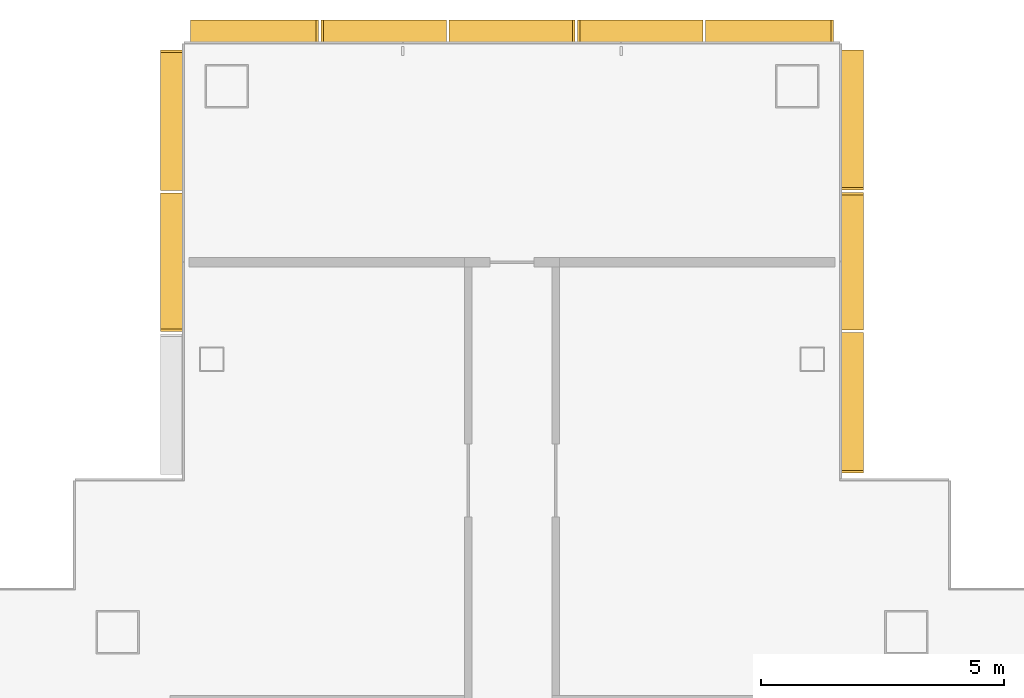
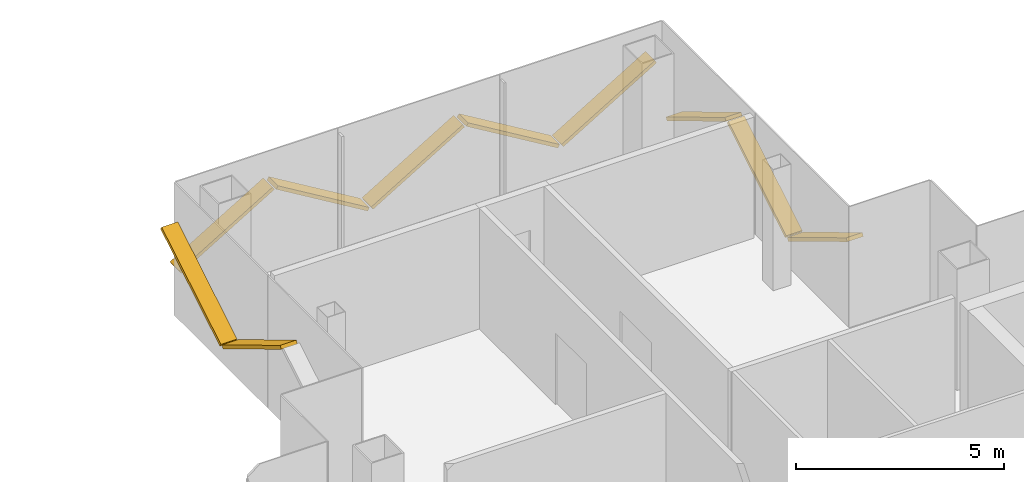
# One storey, part 16 of 17: 10 shading devices.
"""IFC4 building model written with IfcOpenShell, lengths in metres."""

import ifcopenshell
import ifcopenshell.guid

model = None  # the IFC model being written
_history = None  # IfcOwnerHistory: only IFC2X3 demands one
_inside = {}  # id of a spatial element -> (the spatial element, [elements in it])
_under = {}  # id of a project, library or spatial element -> (it, [spatial elements below it])
_declared = {}  # id of a project -> (the project, [libraries it declares])
_typed = {}  # id of a type object -> (the type object, [elements of that type])
_made_of = {}  # id of a material, layer set ... -> (it, [elements and type objects made of it])


def new_model(schema):
    """Start an empty IFC model of exactly this schema.

    Asked for "IFC4X3", IfcOpenShell would pick the latest addendum, in which some entities
    have other attributes; the version numbers below select the first issue.
    IFC2X3 requires an IfcOwnerHistory on every rooted entity: one is made here for all.
    """
    global model, _history
    if schema == "IFC4X3":
        model = ifcopenshell.file(schema_version=(4, 3, 0, 0))
    else:
        model = ifcopenshell.file(schema=schema)
    _inside.clear()
    _under.clear()
    _declared.clear()
    _typed.clear()
    _made_of.clear()
    _history = None
    if model.schema == "IFC2X3":
        org = make("IfcOrganization", Name="unknown")
        user = make(
            "IfcPersonAndOrganization",
            ThePerson=make("IfcPerson", FamilyName="unknown"),
            TheOrganization=org,
        )
        app = make(
            "IfcApplication",
            ApplicationDeveloper=org,
            Version="unknown",
            ApplicationFullName="unknown",
            ApplicationIdentifier="unknown",
        )
        _history = make(
            "IfcOwnerHistory",
            OwningUser=user,
            OwningApplication=app,
            ChangeAction="ADDED",
            CreationDate=0,
        )
    return model


def make(cls, **values):
    """One entity of the class cls with the attributes given. An attribute that is None is left unset."""
    return model.create_entity(
        cls, **{name: value for name, value in values.items() if value is not None}
    )


def rooted(cls, **values):
    """An entity with a GlobalId (a new one), such as an element, a storey or a relation."""
    return make(cls, GlobalId=ifcopenshell.guid.new(), OwnerHistory=_history, **values)


def si_unit(unit_type, name, prefix=None):
    """IfcSIUnit, for example si_unit("LENGTHUNIT", "METRE", prefix="MILLI")."""
    return make("IfcSIUnit", UnitType=unit_type, Prefix=prefix, Name=name)


def assignment(units):
    """IfcUnitAssignment: the units of a project."""
    return None if units is None else make("IfcUnitAssignment", Units=units)


def point(xyz):
    """IfcCartesianPoint."""
    return None if xyz is None else make("IfcCartesianPoint", Coordinates=xyz)


def direction(xyz):
    """IfcDirection."""
    return None if xyz is None else make("IfcDirection", DirectionRatios=xyz)


def frame(location, z_axis=None, x_axis=None):
    """IfcAxis2Placement3D, a coordinate frame: its origin and axes. An axis left out is left unset."""
    return make(
        "IfcAxis2Placement3D",
        Location=point(location),
        Axis=direction(z_axis),
        RefDirection=direction(x_axis),
    )


def frame_2d(location, x_axis=None):
    """IfcAxis2Placement2D, a coordinate frame in the plane: its origin and x axis."""
    return make(
        "IfcAxis2Placement2D", Location=point(location), RefDirection=direction(x_axis)
    )


def origin():
    """The frame at (0, 0, 0) with its axes left unset."""
    return frame((0.0, 0.0, 0.0))


def origin_2d():
    """The frame at (0, 0) in the plane with its x axis left unset."""
    return frame_2d((0.0, 0.0))


def place(relative_to, where):
    """IfcLocalPlacement: puts the frame where relative to a parent placement (None: the world)."""
    return make(
        "IfcLocalPlacement", PlacementRelTo=relative_to, RelativePlacement=where
    )


def context(
    kind, dimensions, precision=None, world=None, true_north=None, identifier=None
):
    """IfcGeometricRepresentationContext, for example the 3D "Model" context."""
    return make(
        "IfcGeometricRepresentationContext",
        ContextIdentifier=identifier,
        ContextType=kind,
        CoordinateSpaceDimension=dimensions,
        Precision=precision,
        WorldCoordinateSystem=world,
        TrueNorth=true_north,
    )


def subcontext(parent, identifier, kind, view, scale=None):
    """IfcGeometricRepresentationSubContext, for example "Body" below "Model"."""
    return make(
        "IfcGeometricRepresentationSubContext",
        ContextIdentifier=identifier,
        ContextType=kind,
        ParentContext=parent,
        TargetScale=scale,
        TargetView=view,
    )


def project(units=None, contexts=None):
    """IfcProject with its units and contexts."""
    return rooted(
        "IfcProject",
        Name="project",
        RepresentationContexts=contexts,
        UnitsInContext=assignment(units),
    )


def spatial(cls, under=None, at=None, **own):
    """A site, building, storey or space (cls), placed at a placement, below another one or the project."""
    s = rooted(cls, ObjectPlacement=at, **own)
    if under is not None:
        _under.setdefault(under.id(), (under, []))[1].append(s)
    return s


def profile(cls, at=None, kind="AREA", **sizes):
    """A parametric profile (cls). Its sizes go by their IFC names, for example OverallWidth=200.0."""
    return make(cls, ProfileType=kind, Position=at, **sizes)


def rectangle(**sizes):
    """IfcRectangleProfileDef."""
    return profile("IfcRectangleProfileDef", **sizes)


def extrude(swept, where, along, depth):
    """IfcExtrudedAreaSolid: the profile swept, set in the frame where, extruded along a direction by depth."""
    return make(
        "IfcExtrudedAreaSolid",
        SweptArea=swept,
        Position=where,
        ExtrudedDirection=direction(along),
        Depth=depth,
    )


def shape(context_of_items, identifier, shape_type, items):
    """IfcShapeRepresentation: the items that make up one representation, for example the "Body"."""
    return make(
        "IfcShapeRepresentation",
        ContextOfItems=context_of_items,
        RepresentationIdentifier=identifier,
        RepresentationType=shape_type,
        Items=items,
    )


def material(Name=None, Category=None):
    """IfcMaterial."""
    return make("IfcMaterial", Name=Name, Category=Category)


def material_profile(
    of_material, cross_section, Name=None, Category=None, Priority=None
):
    """IfcMaterialProfile: a cross section and its material."""
    return make(
        "IfcMaterialProfile",
        Name=Name,
        Material=of_material,
        Profile=cross_section,
        Priority=Priority,
        Category=Category,
    )


def profile_set(profiles, Name=None, composite=None):
    """IfcMaterialProfileSet."""
    return make(
        "IfcMaterialProfileSet",
        Name=Name,
        MaterialProfiles=profiles,
        CompositeProfile=composite,
    )


def made_of(thing, what):
    """Note that an element or type object is made of a material, layer set ...; save() writes the relation."""
    if what is not None:
        _made_of.setdefault(what.id(), (what, []))[1].append(thing)
    return thing


def type_object(cls, material=None, **own):
    """A type object (cls), such as IfcWallType, which elements share."""
    return made_of(rooted(cls, **own), material)


def element(
    cls,
    number,
    at=None,
    inside=None,
    cuts=None,
    type_object=None,
    material=None,
    context=None,
    identifier="Body",
    shape_type=None,
    held_by="IfcProductDefinitionShape",
    body=None,
    shapes=None,
    **own,
):
    """One element of the class cls, such as IfcWall. Its Tag is "e" and its number.

    at: its placement. inside: the storey or other place that contains it. cuts: it is an
    opening in that element (IfcRelVoidsElement). A single representation is given by context,
    identifier, shape_type and body (its items); several are given by shapes. held_by: the class
    of the entity that holds the representations. save() writes the other relations.
    """
    e = rooted(cls, Tag="e%d" % number, ObjectPlacement=at, **own)
    if body is not None:
        shapes = [shape(context, identifier, shape_type, body)]
    if shapes is not None:
        e.Representation = make(held_by, Representations=shapes)
    if inside is not None:
        _inside.setdefault(inside.id(), (inside, []))[1].append(e)
    if cuts is not None:
        rooted(
            "IfcRelVoidsElement", RelatingBuildingElement=cuts, RelatedOpeningElement=e
        )
    if type_object is not None:
        _typed.setdefault(type_object.id(), (type_object, []))[1].append(e)
    return made_of(e, material)


def aggregate(whole, parts):
    """IfcRelAggregates: a whole, such as a stair, and the parts it consists of."""
    return rooted("IfcRelAggregates", RelatingObject=whole, RelatedObjects=parts)


def save(model, path):
    """Write the relations noted so far, then the file.

    IfcRelAggregates (storeys below a building ...), IfcRelContainedInSpatialStructure (elements
    in a storey), IfcRelDefinesByType, IfcRelAssociatesMaterial and IfcRelDeclares: one each for
    every whole, place, type object, material and project.
    """
    for whole, parts in _under.values():
        aggregate(whole, parts)
    for where, things in _inside.values():
        rooted(
            "IfcRelContainedInSpatialStructure",
            RelatedElements=things,
            RelatingStructure=where,
        )
    for kind, things in _typed.values():
        rooted("IfcRelDefinesByType", RelatedObjects=things, RelatingType=kind)
    for what, things in _made_of.values():
        rooted("IfcRelAssociatesMaterial", RelatedObjects=things, RelatingMaterial=what)
    for by, libraries in _declared.values():
        rooted("IfcRelDeclares", RelatingContext=by, RelatedDefinitions=libraries)
    model.write(path)


model = new_model("IFC4")

# Units and contexts
model_context = context("Model", 3, precision=1e-05, world=origin(), true_north=direction((0.0, 1.0)))
body_context = subcontext(model_context, "Body", "Model", "MODEL_VIEW")
ifc_project = project(units=[si_unit("LENGTHUNIT", "METRE"), si_unit("AREAUNIT", "SQUARE_METRE"), si_unit("VOLUMEUNIT", "CUBIC_METRE"), si_unit("PLANEANGLEUNIT", "RADIAN"), si_unit("MASSUNIT", "GRAM", prefix="KILO")], contexts=[model_context])

# Site, building, storey
site_placement = place(None, origin())
site = spatial("IfcSite", under=ifc_project, at=site_placement, CompositionType="ELEMENT")
building_placement = place(site_placement, origin())
building = spatial("IfcBuilding", under=site, at=building_placement, Name="Shamsa Quay Exchange Towers", CompositionType="ELEMENT")
storey_placement = place(building_placement, frame((0.0, 0.0, 253.800048828125)))
storey = spatial("IfcBuildingStorey", under=building, at=storey_placement, Name="L61", CompositionType="ELEMENT", Elevation=253.800048828125)

# Shading devices
ifc_material = material(Name="Aluminium EN AW-6063 T6, black anodised", Category="aluminium")
ifc_material_profile = material_profile(ifc_material, rectangle(XDim=0.449951171875, YDim=0.10009765625, at=origin_2d()), Name="FIN450x100")
ifc_profile_set = profile_set([ifc_material_profile], Name="Aluminium EN AW-6063 T6, black anodised")
shading_device_type = type_object("IfcShadingDeviceType", Name="FIN 450x100 BLACK ALUMINIUM", PredefinedType="USERDEFINED", material=ifc_profile_set)
shading_device_1_placement = place(storey_placement, frame((40.764892578125, 11.43798828125, 2.452392578125), z_axis=(0.0, 0.857173881605, -0.51502712229), x_axis=(-1.0, 0.0, 0.0)))
element("IfcShadingDevice", 1, at=shading_device_1_placement, inside=storey, type_object=shading_device_type, Name="FIN T2 chevron rib", ObjectType="FIN", PredefinedType="USERDEFINED", context=body_context, shape_type="SweptSolid", body=[
    extrude(rectangle(XDim=0.449951171875, YDim=0.10009765625, at=origin_2d()), origin(), (0.0, 0.0, 1.0), 3.310302734375),
])
shading_device_2_placement = place(storey_placement, frame((40.764892578125, 14.375244140625, 0.762451171875), z_axis=(0.0, 0.857168152113, 0.515036657922), x_axis=(-1.0, 0.0, 0.0)))
element("IfcShadingDevice", 2, at=shading_device_2_placement, inside=storey, type_object=shading_device_type, Name="FIN T2 chevron rib", ObjectType="FIN", PredefinedType="USERDEFINED", context=body_context, shape_type="SweptSolid", body=[
    extrude(rectangle(XDim=0.449951171875, YDim=0.10009765625, at=origin_2d()), origin(), (0.0, 0.0, 1.0), 3.251708984375),
])
shading_device_3_placement = place(storey_placement, frame((40.764892578125, 17.2626953125, 2.452392578125), z_axis=(0.0, 0.857173881605, -0.51502712229), x_axis=(-1.0, 0.0, 0.0)))
element("IfcShadingDevice", 3, at=shading_device_3_placement, inside=storey, type_object=shading_device_type, Name="FIN T2 chevron rib", ObjectType="FIN", PredefinedType="USERDEFINED", context=body_context, shape_type="SweptSolid", body=[
    extrude(rectangle(XDim=0.449951171875, YDim=0.10009765625, at=origin_2d()), origin(), (0.0, 0.0, 1.0), 3.310302734375),
])
shading_device_4_placement = place(storey_placement, frame((40.35009765625, 20.514892578125, 2.378173828125), z_axis=(-0.857150546907, 0.0, -0.51506595688), x_axis=(0.0, -1.0, 0.0)))
element("IfcShadingDevice", 4, at=shading_device_4_placement, inside=storey, type_object=shading_device_type, Name="FIN T2 chevron rib", ObjectType="FIN", PredefinedType="USERDEFINED", context=body_context, shape_type="SweptSolid", body=[
    extrude(rectangle(XDim=0.449951171875, YDim=0.10009765625, at=origin_2d()), origin(), (0.0, 0.0, 1.0), 3.021728515625),
])
for number, where, z_axis, x_axis, name in (
    (5, (37.659912109375, 20.514892578125, 0.8369140625), (-0.857158316574, 0.0, 0.515053026714), (0.0, -1.0, 0.0), "FIN T2 chevron rib"),
    (6, (35.02001953125, 20.514892578125, 2.363037109375), (-0.857180172053, 0.0, -0.515016652778), (0.0, -1.0, 0.0), "FIN T2 chevron rib"),
    (7, (32.3798828125, 20.514892578125, 0.8369140625), (-0.857158316574, 0.0, 0.515053026714), (0.0, -1.0, 0.0), "FIN T2 chevron rib"),
):
    element("IfcShadingDevice", number, at=place(storey_placement, frame(where, z_axis=z_axis, x_axis=x_axis)), inside=storey, type_object=shading_device_type, Name=name, ObjectType="FIN", PredefinedType="USERDEFINED", context=body_context, shape_type="SweptSolid", body=[
        extrude(rectangle(XDim=0.449951171875, YDim=0.10009765625, at=origin_2d()), origin(), (0.0, 0.0, 1.0), 2.963134765625),
    ])
shading_device_5_placement = place(storey_placement, frame((29.739990234375, 20.514892578125, 2.378173828125), z_axis=(-0.857150546907, 0.0, -0.51506595688), x_axis=(0.0, -1.0, 0.0)))
element("IfcShadingDevice", 8, at=shading_device_5_placement, inside=storey, type_object=shading_device_type, Name="FIN T2 chevron rib", ObjectType="FIN", PredefinedType="USERDEFINED", context=body_context, shape_type="SweptSolid", body=[
    extrude(rectangle(XDim=0.449951171875, YDim=0.10009765625, at=origin_2d()), origin(), (0.0, 0.0, 1.0), 3.021728515625),
])
shading_device_6_placement = place(storey_placement, frame((26.735107421875, 20.10009765625, 2.456298828125), z_axis=(0.0, -0.857149370538, -0.515067914538), x_axis=(1.0, 0.0, 0.0)))
element("IfcShadingDevice", 9, at=shading_device_6_placement, inside=storey, type_object=shading_device_type, Name="FIN T2 chevron rib", ObjectType="FIN", PredefinedType="USERDEFINED", context=body_context, shape_type="SweptSolid", body=[
    extrude(rectangle(XDim=0.449951171875, YDim=0.10009765625, at=origin_2d()), origin(), (0.0, 0.0, 1.0), 3.3251953125),
])
shading_device_7_placement = place(storey_placement, frame((26.735107421875, 17.14990234375, 0.7587890625), z_axis=(0.0, -0.857156397537, 0.515056220389), x_axis=(1.0, 0.0, 0.0)))
element("IfcShadingDevice", 10, at=shading_device_7_placement, inside=storey, type_object=shading_device_type, Name="FIN T2 chevron rib", ObjectType="FIN", PredefinedType="USERDEFINED", context=body_context, shape_type="SweptSolid", body=[
    extrude(rectangle(XDim=0.449951171875, YDim=0.10009765625, at=origin_2d()), origin(), (0.0, 0.0, 1.0), 3.266357421875),
])

save(model, "model.ifc")
